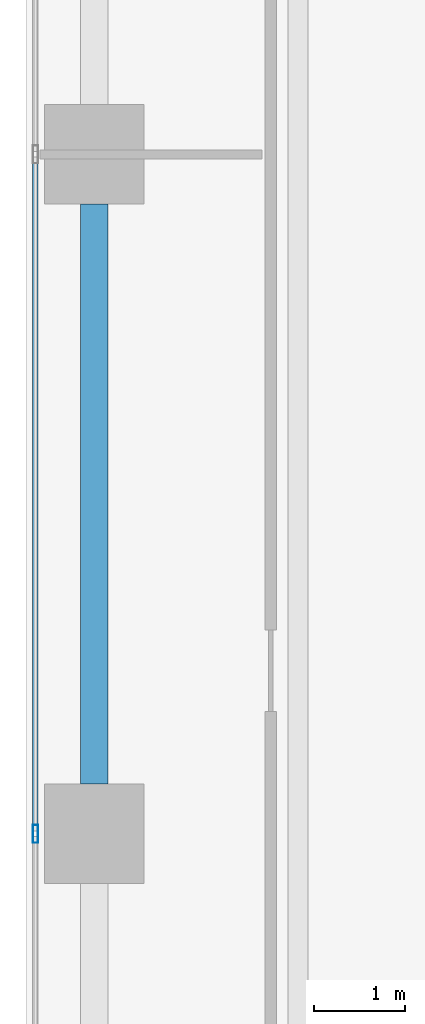
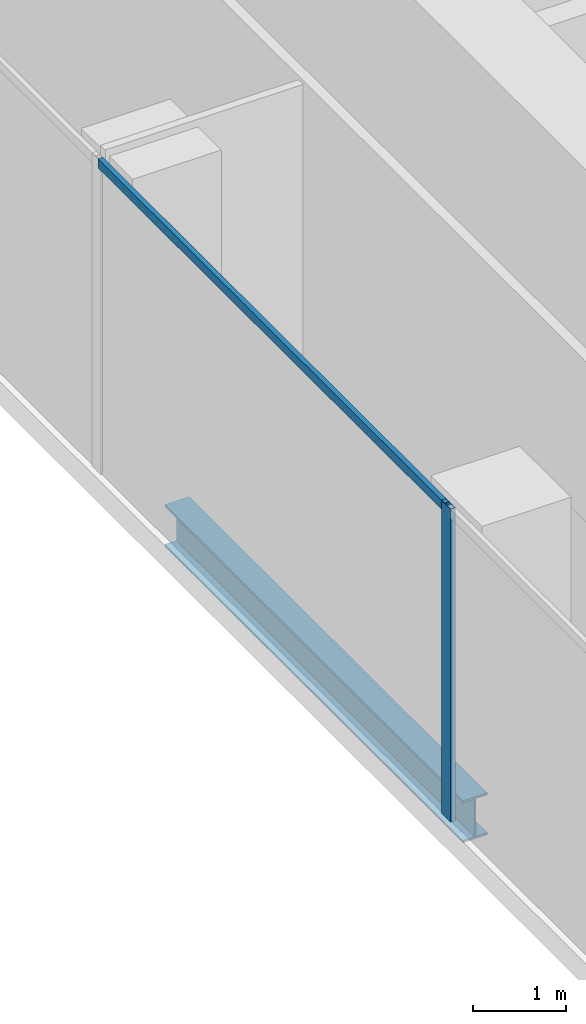
# One storey, part 4 of 34: 2 members, 1 beam, 1 element without a shape of its own.
"""IFC4 building model written with IfcOpenShell, lengths in metres."""

from ifc_helpers import new_model, si_unit, direction, frame, origin, origin_2d, place, context, subcontext, project, spatial, hollow_rectangle, i_section, extrude, source, transform, mapped, material, material_profile, profile_set, type_object, element, aggregate, save


model = new_model("IFC4")

# Units and contexts
model_context = context("Model", 3, precision=1e-05, world=origin(), true_north=direction((0.0, 1.0)))
body_context = subcontext(model_context, "Body", "Model", "MODEL_VIEW")
ifc_project = project(units=[si_unit("LENGTHUNIT", "METRE"), si_unit("AREAUNIT", "SQUARE_METRE"), si_unit("VOLUMEUNIT", "CUBIC_METRE"), si_unit("PLANEANGLEUNIT", "RADIAN"), si_unit("MASSUNIT", "GRAM", prefix="KILO")], contexts=[model_context])

# Site, building, storey
site_placement = place(None, origin())
site = spatial("IfcSite", under=ifc_project, at=site_placement, CompositionType="ELEMENT")
building_placement = place(site_placement, origin())
building = spatial("IfcBuilding", under=site, at=building_placement, Name="Khomas Fold Tower", CompositionType="ELEMENT")
storey_placement = place(building_placement, frame((0.0, 0.0, 105.89990234375)))
storey = spatial("IfcBuildingStorey", under=building, at=storey_placement, Name="L22", CompositionType="ELEMENT", Elevation=105.89990234375)

# Beam
ifc_material_1 = material(Name="Steel S355", Category="steel")
ifc_material_profile_1 = material_profile(ifc_material_1, i_section(OverallWidth=0.300048828125, OverallDepth=0.550048828125, WebThickness=0.014892578125, FlangeThickness=0.029052734375, at=origin_2d()), Name="HE 550 B")
ifc_profile_set_1 = profile_set([ifc_material_profile_1], Name="Steel S355")
beam_type = type_object("IfcBeamType", Name="HE 550 B spandrel SB2", PredefinedType="SPANDREL", material=ifc_profile_set_1)
shared_shape_1 = source(origin(), body_context, "Body", "SweptSolid", [
    extrude(i_section(OverallWidth=0.300048828125, OverallDepth=0.550048828125, WebThickness=0.014892578125, FlangeThickness=0.029052734375, at=origin_2d()), origin(), (0.0, 0.0, 1.0), 6.39990234375),
])
beam_placement = place(storey_placement, frame((2.25, 12.550048828125, -0.574951171875), z_axis=(0.0, 1.0, 0.0), x_axis=(-1.0, 0.0, 0.0)))
element("IfcBeam", 1, at=beam_placement, inside=storey, type_object=beam_type, Name="SB2", PredefinedType="SPANDREL", context=body_context, shape_type="MappedRepresentation", body=[
    mapped(shared_shape_1, transform((0.0, 0.0, 0.0))),
])

# Curtain wall, members
ifc_material_2 = material(Name="Aluminium framed double glazing", Category="aluminium")
curtain_wall_type = type_object("IfcCurtainWallType", Name="SK-Unitised clear-glass wall, growing floors CW1", PredefinedType="NOTDEFINED", material=ifc_material_2)
curtain_wall_placement = place(storey_placement, origin())
curtain_wall = element("IfcCurtainWall", 2, at=curtain_wall_placement, inside=storey, type_object=curtain_wall_type, Name="CW1 run L22 09-0", PredefinedType="NOTDEFINED")
ifc_material_3 = material(Name="Aluminium", Category="aluminium")
ifc_material_profile_2 = material_profile(ifc_material_3, hollow_rectangle(XDim=0.06005859375, YDim=0.1201171875, WallThickness=0.00390625, at=origin_2d()), Name="SK-Unitised clear-glass wall, growing floors transom CW1-T")
ifc_profile_set_2 = profile_set([ifc_material_profile_2], Name="Aluminium")
member_type_1 = type_object("IfcMemberType", Name="SK-Unitised clear-glass wall, growing floors transom CW1-T", PredefinedType="USERDEFINED", material=ifc_profile_set_2)
shared_shape_2 = source(origin(), body_context, "Body", "SweptSolid", [
    extrude(hollow_rectangle(XDim=0.06005859375, YDim=0.1201171875, WallThickness=0.00390625, at=origin_2d()), origin(), (0.0, 0.0, 1.0), 7.43994140625),
])
member_1_placement = place(storey_placement, frame((1.60009765625, 19.469970703125, 4.0400390625), z_axis=(0.0, -1.0, 0.0), x_axis=(1.0, 0.0, 0.0)))
member_1 = element("IfcMember", 3, at=member_1_placement, type_object=member_type_1, Name="CW1 transom 6", ObjectType="TRANSOM", PredefinedType="USERDEFINED", context=body_context, shape_type="MappedRepresentation", body=[
    mapped(shared_shape_2, transform((0.0, 0.0, 0.0))),
])
ifc_material_4 = material(Name="Aluminium", Category="aluminium")
ifc_material_profile_3 = material_profile(ifc_material_4, hollow_rectangle(XDim=0.06005859375, YDim=0.199951171875, WallThickness=0.00390625, at=origin_2d()), Name="SK-Unitised clear-glass wall, growing floors mullion CW1-M")
ifc_profile_set_3 = profile_set([ifc_material_profile_3], Name="Aluminium")
member_type_2 = type_object("IfcMemberType", Name="SK-Unitised clear-glass wall, growing floors mullion CW1-M", PredefinedType="MULLION", material=ifc_profile_set_3)
shared_shape_3 = source(origin(), body_context, "Body", "SweptSolid", [
    extrude(hollow_rectangle(XDim=0.06005859375, YDim=0.199951171875, WallThickness=0.00390625, at=origin_2d()), origin(), (0.0, 0.0, 1.0), 4.10009765625),
])
member_2_placement = place(storey_placement, frame((1.60009765625, 12.0, 0.0), z_axis=(0.0, 0.0, 1.0), x_axis=(1.0, 0.0, 0.0)))
member_2 = element("IfcMember", 4, at=member_2_placement, type_object=member_type_2, Name="CW1 mullion 7", PredefinedType="MULLION", context=body_context, shape_type="MappedRepresentation", body=[
    mapped(shared_shape_3, transform((0.0, 0.0, 0.0))),
])
aggregate(curtain_wall, [member_2, member_1])

save(model, "model.ifc")
